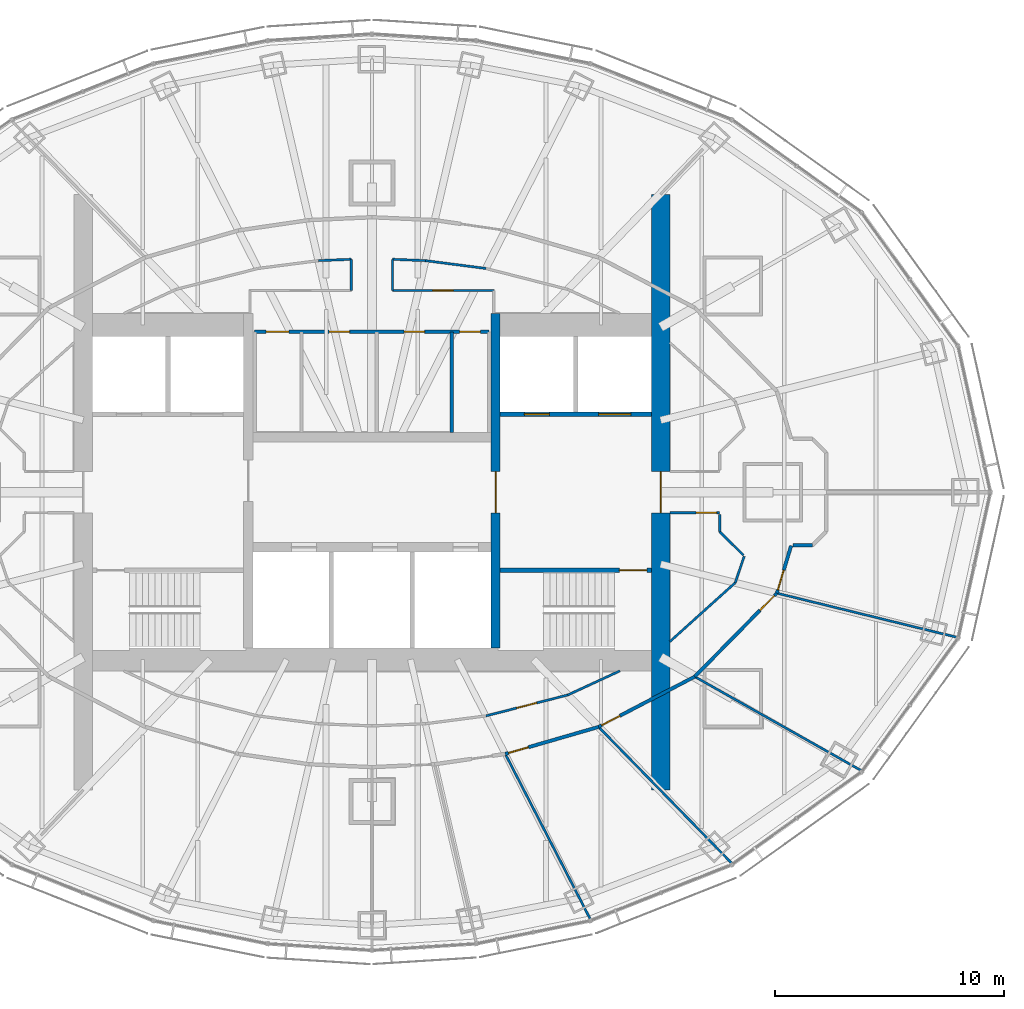
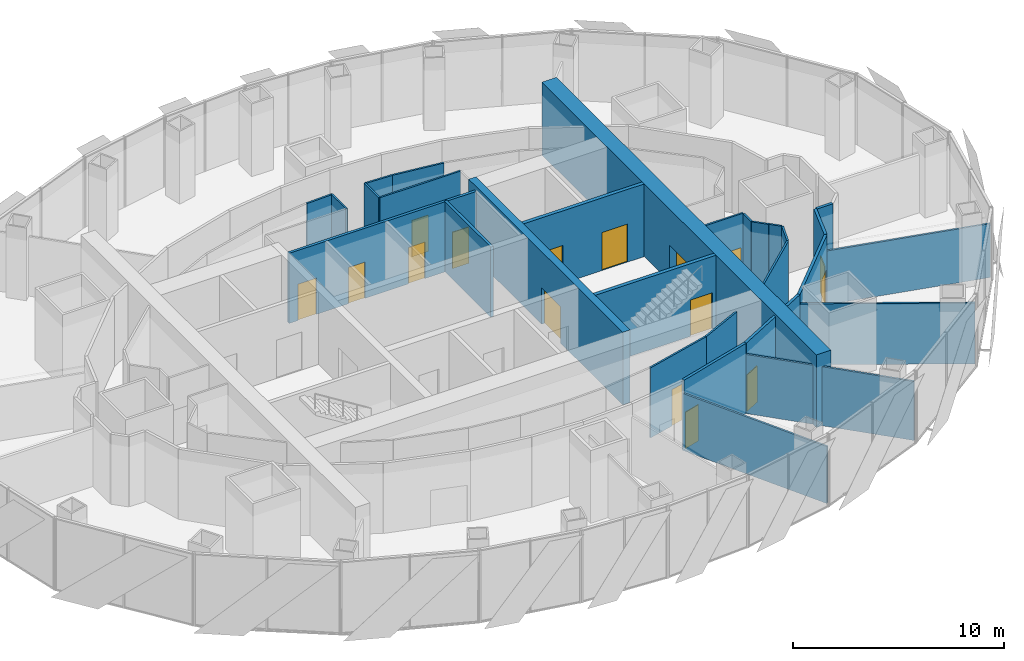
# One storey, part 13 of 17: 29 walls, 16 doors, 16 openings.
"""IFC4 building model written with IfcOpenShell, lengths in metres."""

from ifc_helpers import new_model, si_unit, direction, frame, frame_2d, origin, place, context, subcontext, project, spatial, rectangle, extrude, material, layer, layer_set, type_object, element, fill, save


model = new_model("IFC4")

# Units and contexts
model_context = context("Model", 3, precision=1e-05, world=origin(), true_north=direction((0.0, 1.0)))
body_context = subcontext(model_context, "Body", "Model", "MODEL_VIEW")
ifc_project = project(units=[si_unit("LENGTHUNIT", "METRE"), si_unit("AREAUNIT", "SQUARE_METRE"), si_unit("VOLUMEUNIT", "CUBIC_METRE"), si_unit("PLANEANGLEUNIT", "RADIAN"), si_unit("MASSUNIT", "GRAM", prefix="KILO")], contexts=[model_context])

# Site, building, storey
site_placement = place(None, origin())
site = spatial("IfcSite", under=ifc_project, at=site_placement, CompositionType="ELEMENT")
building_placement = place(site_placement, origin())
building = spatial("IfcBuilding", under=site, at=building_placement, Name="Lantaw Convention Tower", CompositionType="ELEMENT")
storey_placement = place(building_placement, frame((0.0, 0.0, 215.800048828125)))
storey = spatial("IfcBuildingStorey", under=building, at=storey_placement, Name="L50", CompositionType="ELEMENT", Elevation=215.800048828125)

# Wall, opening, door
ifc_material_1 = material(Name="Concrete C60/75", Category="concrete")
ifc_layer_1 = layer(ifc_material_1, 0.199951171875)
ifc_layer_set_1 = layer_set([ifc_layer_1], Name="Core wall 200")
wall_type_1 = type_object("IfcWallType", Name="Core wall 200", PredefinedType="SHEAR", material=ifc_layer_set_1)
wall_1_placement = place(storey_placement, frame((5.60009765625, -3.39990234375, 0.0), z_axis=(0.0, 0.0, 1.0), x_axis=(1.0, 0.0, 0.0)))
wall_1 = element("IfcWall", 1, at=wall_1_placement, inside=storey, type_object=wall_type_1, Name="Core wall ES", PredefinedType="SHEAR", context=body_context, shape_type="SweptSolid", body=[
    extrude(rectangle(XDim=6.599853515625, YDim=0.199951171875, at=frame_2d((3.2998046875, 0.0))), origin(), (0.0, 0.0, 1.0), 4.199951171875),
])
opening_1_placement = place(wall_1_placement, frame((5.199951171875, 0.0, 0.0)))
opening_1 = element("IfcOpeningElement", 2, at=opening_1_placement, cuts=wall_1, Name="Opening L50.03", PredefinedType="OPENING", context=body_context, shape_type="SweptSolid", body=[
    extrude(rectangle(XDim=1.199951171875, YDim=2.10009765625, at=frame_2d((0.60009765625, 1.050048828125))), frame((0.0, 0.10986328125, 0.0), z_axis=(0.0, -1.0, 0.0), x_axis=(1.0, 0.0, 0.0)), (0.0, 0.0, 1.0), 0.219970703125),
])
ifc_material_2 = material(Name="Steel, fire rated", Category="steel")
door_type_1 = type_object("IfcDoorType", Name="Stair door FD90", OperationType="SINGLE_SWING_RIGHT", PredefinedType="DOOR", material=ifc_material_2)
door_1_placement = place(opening_1_placement, origin())
door_1 = element("IfcDoor", 3, at=door_1_placement, inside=storey, type_object=door_type_1, Name="Exit stair door", OperationType="SINGLE_SWING_RIGHT", OverallHeight=2.10009765625, OverallWidth=1.199951171875, PredefinedType="DOOR", context=body_context, shape_type="SweptSolid", body=[
    extrude(rectangle(XDim=1.199951171875, YDim=2.10009765625, at=frame_2d((0.60009765625, 1.050048828125))), frame((0.0, 0.02490234375, 0.0), z_axis=(0.0, -1.0, 0.0), x_axis=(1.0, 0.0, 0.0)), (0.0, 0.0, 1.0), 0.050048828125),
])
fill(opening_1, door_1)

ifc_layer_2 = layer(ifc_material_1, 0.39990234375)
ifc_layer_set_2 = layer_set([ifc_layer_2], Name="Core wall 400")
wall_type_2 = type_object("IfcWallType", Name="Core wall 400", PredefinedType="SHEAR", material=ifc_layer_set_2)
wall_2_placement = place(storey_placement, frame((5.39990234375, -6.800048828125, 0.0), z_axis=(0.0, 0.0, 1.0), x_axis=(0.0, 1.0, 0.0)))
wall_2 = element("IfcWall", 4, at=wall_2_placement, inside=storey, type_object=wall_type_2, Name="Core wall XE", PredefinedType="SHEAR", context=body_context, shape_type="SweptSolid", body=[
    extrude(rectangle(XDim=14.60009765625, YDim=0.39990234375, at=frame_2d((7.300048828125, 0.0))), origin(), (0.0, 0.0, 1.0), 4.199951171875),
])
opening_2_placement = place(wall_2_placement, frame((5.89990234375, 0.0, 0.0)))
opening_2 = element("IfcOpeningElement", 5, at=opening_2_placement, cuts=wall_2, Name="Opening L50.01", PredefinedType="OPENING", context=body_context, shape_type="SweptSolid", body=[
    extrude(rectangle(XDim=1.800048828125, YDim=2.10009765625, at=frame_2d((0.89990234375, 1.050048828125))), frame((0.0, 0.2099609375, 0.0), z_axis=(0.0, -1.0, 0.0), x_axis=(1.0, 0.0, 0.0)), (0.0, 0.0, 1.0), 0.419921875),
])
door_type_2 = type_object("IfcDoorType", Name="Lobby double door FD90", OperationType="DOUBLE_DOOR_DOUBLE_SWING", PredefinedType="DOOR", material=ifc_material_2)
door_2_placement = place(opening_2_placement, origin())
door_2 = element("IfcDoor", 6, at=door_2_placement, inside=storey, type_object=door_type_2, Name="Lift lobby door", OperationType="DOUBLE_DOOR_DOUBLE_SWING", OverallHeight=2.10009765625, OverallWidth=1.800048828125, PredefinedType="DOOR", context=body_context, shape_type="SweptSolid", body=[
    extrude(rectangle(XDim=1.800048828125, YDim=2.10009765625, at=frame_2d((0.89990234375, 1.050048828125))), frame((0.0, 0.02490234375, 0.0), z_axis=(0.0, -1.0, 0.0), x_axis=(1.0, 0.0, 0.0)), (0.0, 0.0, 1.0), 0.050048828125),
])
fill(opening_2, door_2)

ifc_layer_3 = layer(ifc_material_1, 0.800048828125)
ifc_layer_set_3 = layer_set([ifc_layer_3], Name="Core wall 800")
wall_type_3 = type_object("IfcWallType", Name="Core wall 800", PredefinedType="SHEAR", material=ifc_layer_set_3)
wall_3_placement = place(storey_placement, frame((12.60009765625, -13.0, 0.0), z_axis=(0.0, 0.0, 1.0), x_axis=(0.0, 1.0, 0.0)))
wall_3 = element("IfcWall", 7, at=wall_3_placement, inside=storey, type_object=wall_type_3, Name="Core wall E", PredefinedType="SHEAR", context=body_context, shape_type="SweptSolid", body=[
    extrude(rectangle(XDim=26.0, YDim=0.800048828125, at=frame_2d((13.0, 0.0))), origin(), (0.0, 0.0, 1.0), 4.199951171875),
])
opening_3_placement = place(wall_3_placement, frame((12.10009765625, 0.0, 0.0)))
opening_3 = element("IfcOpeningElement", 8, at=opening_3_placement, cuts=wall_3, Name="Opening L50.05", PredefinedType="OPENING", context=body_context, shape_type="SweptSolid", body=[
    extrude(rectangle(XDim=1.800048828125, YDim=2.10009765625, at=frame_2d((0.89990234375, 1.050048828125))), frame((0.0, 0.409912109375, 0.0), z_axis=(0.0, -1.0, 0.0), x_axis=(1.0, 0.0, 0.0)), (0.0, 0.0, 1.0), 0.820068359375),
])
door_3_placement = place(opening_3_placement, origin())
door_3 = element("IfcDoor", 9, at=door_3_placement, inside=storey, type_object=door_type_2, Name="Firefighting lobby door", OperationType="DOUBLE_DOOR_DOUBLE_SWING", OverallHeight=2.10009765625, OverallWidth=1.800048828125, PredefinedType="DOOR", context=body_context, shape_type="SweptSolid", body=[
    extrude(rectangle(XDim=1.800048828125, YDim=2.10009765625, at=frame_2d((0.89990234375, 1.050048828125))), frame((0.0, 0.02490234375, 0.0), z_axis=(0.0, -1.0, 0.0), x_axis=(1.0, 0.0, 0.0)), (0.0, 0.0, 1.0), 0.050048828125),
])
fill(opening_3, door_3)

ifc_material_3 = material(Name="Gypsum board on steel studs, fire rated", Category="steel")
ifc_layer_4 = layer(ifc_material_3, 0.14990234375)
ifc_layer_set_4 = layer_set([ifc_layer_4], Name="Corridor wall 150 EI 60")
wall_type_4 = type_object("IfcWallType", Name="Corridor wall 150 EI 60", PredefinedType="PARTITIONING", material=ifc_layer_set_4)
wall_4_placement = place(storey_placement, frame((5.8203125, -11.423095703125, 0.0), z_axis=(0.0, 0.0, 1.0), x_axis=(0.960614838378, 0.27788330696, 0.0)))
wall_4 = element("IfcWall", 10, at=wall_4_placement, inside=storey, type_object=wall_type_4, Name="Corridor wall 150", PredefinedType="PARTITIONING", context=body_context, shape_type="SweptSolid", body=[
    extrude(rectangle(XDim=4.239990234375, YDim=0.14990234375, at=frame_2d((2.1201171875, 0.0))), origin(), (0.0, 0.0, 1.0), 4.050048828125),
])
opening_4_placement = place(wall_4_placement, frame((0.14990234375, 0.0, 0.0)))
opening_4 = element("IfcOpeningElement", 11, at=opening_4_placement, cuts=wall_4, Name="Opening L50.31", PredefinedType="OPENING", context=body_context, shape_type="SweptSolid", body=[
    extrude(rectangle(XDim=0.89990234375, YDim=2.10009765625, at=frame_2d((0.449951171875, 1.050048828125))), frame((0.0, 0.0849609375, 0.0), z_axis=(0.0, -1.0, 0.0), x_axis=(1.0, 0.0, 0.0)), (0.0, 0.0, 1.0), 0.169921875),
])
door_type_3 = type_object("IfcDoorType", Name="Office door 900 FD30", OperationType="SINGLE_SWING_LEFT", PredefinedType="DOOR", material=ifc_material_2)
door_4_placement = place(opening_4_placement, origin())
door_4 = element("IfcDoor", 12, at=door_4_placement, inside=storey, type_object=door_type_3, Name="Quiet room door", OperationType="SINGLE_SWING_LEFT", OverallHeight=2.10009765625, OverallWidth=0.89990234375, PredefinedType="DOOR", context=body_context, shape_type="SweptSolid", body=[
    extrude(rectangle(XDim=0.89990234375, YDim=2.10009765625, at=frame_2d((0.449951171875, 1.050048828125))), frame((0.0, 0.02490234375, 0.0), z_axis=(0.0, -1.0, 0.0), x_axis=(1.0, 0.0, 0.0)), (0.0, 0.0, 1.0), 0.050048828125),
])
fill(opening_4, door_4)

wall_5_placement = place(storey_placement, frame((9.893310546875, -10.244873046875, 0.0), z_axis=(0.0, 0.0, 1.0), x_axis=(0.886174439647, 0.463351769735, 0.0)))
wall_5 = element("IfcWall", 13, at=wall_5_placement, inside=storey, type_object=wall_type_4, Name="Corridor wall 150", PredefinedType="PARTITIONING", context=body_context, shape_type="SweptSolid", body=[
    extrude(rectangle(XDim=4.734619140625, YDim=0.14990234375, at=frame_2d((2.3671875, 0.0))), origin(), (0.0, 0.0, 1.0), 4.050048828125),
])
opening_5_placement = place(wall_5_placement, frame((0.14990234375, 0.0, 0.0)))
opening_5 = element("IfcOpeningElement", 14, at=opening_5_placement, cuts=wall_5, Name="Opening L50.32", PredefinedType="OPENING", context=body_context, shape_type="SweptSolid", body=[
    extrude(rectangle(XDim=0.89990234375, YDim=2.10009765625, at=frame_2d((0.449951171875, 1.050048828125))), frame((0.0, 0.0849609375, 0.0), z_axis=(0.0, -1.0, 0.0), x_axis=(1.0, 0.0, 0.0)), (0.0, 0.0, 1.0), 0.169921875),
])
door_5_placement = place(opening_5_placement, origin())
door_5 = element("IfcDoor", 15, at=door_5_placement, inside=storey, type_object=door_type_3, Name="Nap room door", OperationType="SINGLE_SWING_LEFT", OverallHeight=2.10009765625, OverallWidth=0.89990234375, PredefinedType="DOOR", context=body_context, shape_type="SweptSolid", body=[
    extrude(rectangle(XDim=0.89990234375, YDim=2.10009765625, at=frame_2d((0.449951171875, 1.050048828125))), frame((0.0, 0.02490234375, 0.0), z_axis=(0.0, -1.0, 0.0), x_axis=(1.0, 0.0, 0.0)), (0.0, 0.0, 1.0), 0.050048828125),
])
fill(opening_5, door_5)

wall_6_placement = place(storey_placement, frame((14.089111328125, -8.051025390625, 0.0), z_axis=(0.0, 0.0, 1.0), x_axis=(0.701111216625, 0.713051934941, 0.0)))
wall_6 = element("IfcWall", 16, at=wall_6_placement, inside=storey, type_object=wall_type_4, Name="Corridor wall 150", PredefinedType="PARTITIONING", context=body_context, shape_type="SweptSolid", body=[
    extrude(rectangle(XDim=5.111572265625, YDim=0.14990234375, at=frame_2d((2.5556640625, 0.0))), origin(), (0.0, 0.0, 1.0), 4.050048828125),
])
opening_6_placement = place(wall_6_placement, frame((4.061279296875, 0.0, 0.0)))
opening_6 = element("IfcOpeningElement", 17, at=opening_6_placement, cuts=wall_6, Name="Opening L50.33", PredefinedType="OPENING", context=body_context, shape_type="SweptSolid", body=[
    extrude(rectangle(XDim=0.89990234375, YDim=2.10009765625, at=frame_2d((0.449951171875, 1.050048828125))), frame((0.0, 0.0849609375, 0.0), z_axis=(0.0, -1.0, 0.0), x_axis=(1.0, 0.0, 0.0)), (0.0, 0.0, 1.0), 0.169921875),
])
door_6_placement = place(opening_6_placement, origin())
door_6 = element("IfcDoor", 18, at=door_6_placement, inside=storey, type_object=door_type_3, Name="Wellness room door", OperationType="SINGLE_SWING_LEFT", OverallHeight=2.10009765625, OverallWidth=0.89990234375, PredefinedType="DOOR", context=body_context, shape_type="SweptSolid", body=[
    extrude(rectangle(XDim=0.89990234375, YDim=2.10009765625, at=frame_2d((0.449951171875, 1.050048828125))), frame((0.0, 0.02490234375, 0.0), z_axis=(0.0, -1.0, 0.0), x_axis=(1.0, 0.0, 0.0)), (0.0, 0.0, 1.0), 0.050048828125),
])
fill(opening_6, door_6)

wall_7_placement = place(storey_placement, frame((17.6728515625, -4.40625, 0.0), z_axis=(0.0, 0.0, 1.0), x_axis=(0.288362447016, 0.957521330912, 0.0)))
wall_7 = element("IfcWall", 19, at=wall_7_placement, inside=storey, type_object=wall_type_4, Name="Corridor wall 150", PredefinedType="PARTITIONING", context=body_context, shape_type="SweptSolid", body=[
    extrude(rectangle(XDim=2.1630859375, YDim=0.14990234375, at=frame_2d((1.08154296875, 0.0))), origin(), (0.0, 0.0, 1.0), 4.050048828125),
])
opening_7_placement = place(wall_7_placement, frame((0.14990234375, 0.0, 0.0)))
opening_7 = element("IfcOpeningElement", 20, at=opening_7_placement, cuts=wall_7, Name="Opening L50.34", PredefinedType="OPENING", context=body_context, shape_type="SweptSolid", body=[
    extrude(rectangle(XDim=0.89990234375, YDim=2.10009765625, at=frame_2d((0.449951171875, 1.050048828125))), frame((0.0, 0.0849609375, 0.0), z_axis=(0.0, -1.0, 0.0), x_axis=(1.0, 0.0, 0.0)), (0.0, 0.0, 1.0), 0.169921875),
])
door_7_placement = place(opening_7_placement, origin())
door_7 = element("IfcDoor", 21, at=door_7_placement, inside=storey, type_object=door_type_3, Name="Pantry door", OperationType="SINGLE_SWING_LEFT", OverallHeight=2.10009765625, OverallWidth=0.89990234375, PredefinedType="DOOR", context=body_context, shape_type="SweptSolid", body=[
    extrude(rectangle(XDim=0.89990234375, YDim=2.10009765625, at=frame_2d((0.449951171875, 1.050048828125))), frame((0.0, 0.02490234375, 0.0), z_axis=(0.0, -1.0, 0.0), x_axis=(1.0, 0.0, 0.0)), (0.0, 0.0, 1.0), 0.050048828125),
])
fill(opening_7, door_7)

# Walls
wall_8_placement = place(storey_placement, frame((19.224609375, -2.324951171875, 0.0), z_axis=(0.0, 0.0, 1.0), x_axis=(-1.0, 0.0, 0.0)))
element("IfcWall", 22, at=wall_8_placement, inside=storey, type_object=wall_type_4, Name="Corridor wall 150", PredefinedType="PARTITIONING", context=body_context, shape_type="SweptSolid", body=[
    extrude(rectangle(XDim=0.857177734375, YDim=0.14990234375, at=frame_2d((0.4287109375, 0.0))), origin(), (0.0, 0.0, 1.0), 4.050048828125),
])
ifc_material_4 = material(Name="Gypsum board on steel studs, acoustic", Category="steel")
ifc_layer_5 = layer(ifc_material_4, 0.10009765625)
ifc_layer_set_5 = layer_set([ifc_layer_5], Name="Office partition 100")
wall_type_5 = type_object("IfcWallType", Name="Office partition 100", PredefinedType="PARTITIONING", material=ifc_layer_set_5)
wall_9_placement = place(storey_placement, frame((9.539306640625, -18.650390625, 0.0), z_axis=(0.0, 0.0, 1.0), x_axis=(-0.457552286462, 0.88918271753, 0.0)))
element("IfcWall", 23, at=wall_9_placement, inside=storey, type_object=wall_type_5, Name="Office partition 100", PredefinedType="PARTITIONING", context=body_context, shape_type="SweptSolid", body=[
    extrude(rectangle(XDim=8.1279296875, YDim=0.10009765625, at=frame_2d((4.06396484375, 0.0))), origin(), (0.0, 0.0, 1.0), 3.29296875),
])
wall_10_placement = place(storey_placement, frame((15.709228515625, -16.198974609375, 0.0), z_axis=(0.0, 0.0, 1.0), x_axis=(-0.69875697861, 0.715359129978, 0.0)))
element("IfcWall", 24, at=wall_10_placement, inside=storey, type_object=wall_type_5, Name="Office partition 100", PredefinedType="PARTITIONING", context=body_context, shape_type="SweptSolid", body=[
    extrude(rectangle(XDim=8.3232421875, YDim=0.10009765625, at=frame_2d((4.16162109375, 0.0))), origin(), (0.0, 0.0, 1.0), 3.409912109375),
])
wall_11_placement = place(storey_placement, frame((21.3583984375, -12.149658203125, 0.0), z_axis=(0.0, 0.0, 1.0), x_axis=(-0.871080529249, 0.491140215786, 0.0)))
element("IfcWall", 25, at=wall_11_placement, inside=storey, type_object=wall_type_5, Name="Office partition 100", PredefinedType="PARTITIONING", context=body_context, shape_type="SweptSolid", body=[
    extrude(rectangle(XDim=8.34521484375, YDim=0.10009765625, at=frame_2d((4.172607421875, 0.0))), origin(), (0.0, 0.0, 1.0), 3.521728515625),
])
wall_12_placement = place(storey_placement, frame((25.542724609375, -6.335693359375, 0.0), z_axis=(0.0, 0.0, 1.0), x_axis=(-0.97123661777, 0.238116425942, 0.0)))
element("IfcWall", 26, at=wall_12_placement, inside=storey, type_object=wall_type_5, Name="Office partition 100", PredefinedType="PARTITIONING", context=body_context, shape_type="SweptSolid", body=[
    extrude(rectangle(XDim=8.10302734375, YDim=0.10009765625, at=frame_2d((4.051513671875, 0.0))), origin(), (0.0, 0.0, 1.0), 3.107666015625),
])
wall_13_placement = place(storey_placement, frame((10.822509765625, -7.800048828125, 0.0), z_axis=(0.0, 0.0, 1.0), x_axis=(-0.907759689292, -0.419490579748, 0.0)))
element("IfcWall", 27, at=wall_13_placement, inside=storey, type_object=wall_type_5, Name="Office partition 100", PredefinedType="PARTITIONING", context=body_context, shape_type="SweptSolid", body=[
    extrude(rectangle(XDim=2.506103515625, YDim=0.10009765625, at=frame_2d((1.2529296875, 0.0))), origin(), (0.0, 0.0, 1.0), 4.050048828125),
])

# Wall, opening, door
wall_14_placement = place(storey_placement, frame((8.547607421875, -8.851318359375, 0.0), z_axis=(0.0, 0.0, 1.0), x_axis=(-0.968887312542, -0.247502273921, 0.0)))
wall_14 = element("IfcWall", 28, at=wall_14_placement, inside=storey, type_object=wall_type_5, Name="Office partition 100", PredefinedType="PARTITIONING", context=body_context, shape_type="SweptSolid", body=[
    extrude(rectangle(XDim=3.687255859375, YDim=0.10009765625, at=frame_2d((1.84375, 0.0))), origin(), (0.0, 0.0, 1.0), 4.050048828125),
])
opening_8_placement = place(wall_14_placement, frame((1.393798828125, 0.0, 0.0)))
opening_8 = element("IfcOpeningElement", 29, at=opening_8_placement, cuts=wall_14, Name="Opening L50.19", PredefinedType="OPENING", context=body_context, shape_type="SweptSolid", body=[
    extrude(rectangle(XDim=0.89990234375, YDim=2.10009765625, at=frame_2d((0.449951171875, 1.050048828125))), frame((0.0, 0.06005859375, 0.0), z_axis=(0.0, -1.0, 0.0), x_axis=(1.0, 0.0, 0.0)), (0.0, 0.0, 1.0), 0.1201171875),
])
ifc_material_5 = material(Name="Timber", Category="wood")
door_type_4 = type_object("IfcDoorType", Name="Office door 900", OperationType="SINGLE_SWING_LEFT", PredefinedType="DOOR", material=ifc_material_5)
door_8_placement = place(opening_8_placement, origin())
door_8 = element("IfcDoor", 30, at=door_8_placement, inside=storey, type_object=door_type_4, Name="Project room door", OperationType="SINGLE_SWING_LEFT", OverallHeight=2.10009765625, OverallWidth=0.89990234375, PredefinedType="DOOR", context=body_context, shape_type="SweptSolid", body=[
    extrude(rectangle(XDim=0.89990234375, YDim=2.10009765625, at=frame_2d((0.449951171875, 1.050048828125))), frame((0.0, 0.02490234375, 0.0), z_axis=(0.0, -1.0, 0.0), x_axis=(1.0, 0.0, 0.0)), (0.0, 0.0, 1.0), 0.050048828125),
])
fill(opening_8, door_8)

# Wall
wall_15_placement = place(storey_placement, frame((15.855712890625, -3.953369140625, 0.0), z_axis=(0.0, 0.0, 1.0), x_axis=(-0.743177243228, -0.669094601046, 0.0)))
element("IfcWall", 31, at=wall_15_placement, inside=storey, type_object=wall_type_5, Name="Office partition 100", PredefinedType="PARTITIONING", context=body_context, shape_type="SweptSolid", body=[
    extrude(rectangle(XDim=3.842529296875, YDim=0.10009765625, at=frame_2d((1.92138671875, 0.0))), origin(), (0.0, 0.0, 1.0), 4.050048828125),
])

# Wall, opening, door
wall_16_placement = place(storey_placement, frame((5.320068359375, 8.800048828125, 0.0), z_axis=(0.0, 0.0, 1.0), x_axis=(-1.0, 0.0, 0.0)))
wall_16 = element("IfcWall", 32, at=wall_16_placement, inside=storey, type_object=wall_type_5, Name="Office partition 100", PredefinedType="PARTITIONING", context=body_context, shape_type="SweptSolid", body=[
    extrude(rectangle(XDim=4.420166015625, YDim=0.10009765625, at=frame_2d((2.2099609375, 0.0))), origin(), (0.0, 0.0, 1.0), 4.050048828125),
])
opening_9_placement = place(wall_16_placement, frame((1.760009765625, 0.0, 0.0)))
opening_9 = element("IfcOpeningElement", 33, at=opening_9_placement, cuts=wall_16, Name="Opening L50.22", PredefinedType="OPENING", context=body_context, shape_type="SweptSolid", body=[
    extrude(rectangle(XDim=0.89990234375, YDim=2.10009765625, at=frame_2d((0.449951171875, 1.050048828125))), frame((0.0, 0.06005859375, 0.0), z_axis=(0.0, -1.0, 0.0), x_axis=(1.0, 0.0, 0.0)), (0.0, 0.0, 1.0), 0.1201171875),
])
door_9_placement = place(opening_9_placement, origin())
door_9 = element("IfcDoor", 34, at=door_9_placement, inside=storey, type_object=door_type_4, Name="Copy and print room door", OperationType="SINGLE_SWING_LEFT", OverallHeight=2.10009765625, OverallWidth=0.89990234375, PredefinedType="DOOR", context=body_context, shape_type="SweptSolid", body=[
    extrude(rectangle(XDim=0.89990234375, YDim=2.10009765625, at=frame_2d((0.449951171875, 1.050048828125))), frame((0.0, 0.02490234375, 0.0), z_axis=(0.0, -1.0, 0.0), x_axis=(1.0, 0.0, 0.0)), (0.0, 0.0, 1.0), 0.050048828125),
])
fill(opening_9, door_9)

# Walls
wall_17_placement = place(storey_placement, frame((0.89990234375, 8.800048828125, 0.0), z_axis=(0.0, 0.0, 1.0), x_axis=(0.0, 1.0, 0.0)))
element("IfcWall", 35, at=wall_17_placement, inside=storey, type_object=wall_type_5, Name="Office partition 100", PredefinedType="PARTITIONING", context=body_context, shape_type="SweptSolid", body=[
    extrude(rectangle(XDim=1.363525390625, YDim=0.10009765625, at=frame_2d((0.681640625, 0.0))), origin(), (0.0, 0.0, 1.0), 4.050048828125),
])
wall_18_placement = place(storey_placement, frame((0.89990234375, 10.16357421875, 0.0), z_axis=(0.0, 0.0, 1.0), x_axis=(0.999185933422, -0.040341919288, 0.0)))
element("IfcWall", 36, at=wall_18_placement, inside=storey, type_object=wall_type_5, Name="Office partition 100", PredefinedType="PARTITIONING", context=body_context, shape_type="SweptSolid", body=[
    extrude(rectangle(XDim=1.434326171875, YDim=0.10009765625, at=frame_2d((0.71728515625, 0.0))), origin(), (0.0, 0.0, 1.0), 4.050048828125),
])
wall_19_placement = place(storey_placement, frame((2.3330078125, 10.105712890625, 0.0), z_axis=(0.0, 0.0, 1.0), x_axis=(0.99173579163, -0.128296997624, 0.0)))
element("IfcWall", 37, at=wall_19_placement, inside=storey, type_object=wall_type_5, Name="Office partition 100", PredefinedType="PARTITIONING", context=body_context, shape_type="SweptSolid", body=[
    extrude(rectangle(XDim=2.6640625, YDim=0.10009765625, at=frame_2d((1.33203125, 0.0))), origin(), (0.0, 0.0, 1.0), 4.050048828125),
])
wall_20_placement = place(storey_placement, frame((-2.3330078125, 10.105712890625, 0.0), z_axis=(0.0, 0.0, 1.0), x_axis=(0.999185933422, 0.040341919288, 0.0)))
element("IfcWall", 38, at=wall_20_placement, inside=storey, type_object=wall_type_5, Name="Office partition 100", PredefinedType="PARTITIONING", context=body_context, shape_type="SweptSolid", body=[
    extrude(rectangle(XDim=1.434326171875, YDim=0.10009765625, at=frame_2d((0.71728515625, 0.0))), origin(), (0.0, 0.0, 1.0), 4.050048828125),
])
wall_21_placement = place(storey_placement, frame((-0.89990234375, 10.16357421875, 0.0), z_axis=(0.0, 0.0, 1.0), x_axis=(0.0, -1.0, 0.0)))
element("IfcWall", 39, at=wall_21_placement, inside=storey, type_object=wall_type_5, Name="Office partition 100", PredefinedType="PARTITIONING", context=body_context, shape_type="SweptSolid", body=[
    extrude(rectangle(XDim=1.363525390625, YDim=0.10009765625, at=frame_2d((0.681640625, 0.0))), origin(), (0.0, 0.0, 1.0), 4.050048828125),
])

# Wall, opening, door
wall_22_placement = place(storey_placement, frame((13.0, -0.89990234375, 0.0), z_axis=(0.0, 0.0, 1.0), x_axis=(1.0, 0.0, 0.0)))
wall_22 = element("IfcWall", 40, at=wall_22_placement, inside=storey, type_object=wall_type_5, Name="Office partition 100", PredefinedType="PARTITIONING", context=body_context, shape_type="SweptSolid", body=[
    extrude(rectangle(XDim=2.1650390625, YDim=0.10009765625, at=frame_2d((1.08251953125, 0.0))), origin(), (0.0, 0.0, 1.0), 4.050048828125),
])
opening_10_placement = place(wall_22_placement, frame((1.14990234375, 0.0, 0.0)))
opening_10 = element("IfcOpeningElement", 41, at=opening_10_placement, cuts=wall_22, Name="Opening L50.20", PredefinedType="OPENING", context=body_context, shape_type="SweptSolid", body=[
    extrude(rectangle(XDim=0.89990234375, YDim=2.10009765625, at=frame_2d((0.449951171875, 1.050048828125))), frame((0.0, 0.06005859375, 0.0), z_axis=(0.0, -1.0, 0.0), x_axis=(1.0, 0.0, 0.0)), (0.0, 0.0, 1.0), 0.1201171875),
])
door_10_placement = place(opening_10_placement, origin())
door_10 = element("IfcDoor", 42, at=door_10_placement, inside=storey, type_object=door_type_4, Name="Tenant storage room door", OperationType="SINGLE_SWING_LEFT", OverallHeight=2.10009765625, OverallWidth=0.89990234375, PredefinedType="DOOR", context=body_context, shape_type="SweptSolid", body=[
    extrude(rectangle(XDim=0.89990234375, YDim=2.10009765625, at=frame_2d((0.449951171875, 1.050048828125))), frame((0.0, 0.02490234375, 0.0), z_axis=(0.0, -1.0, 0.0), x_axis=(1.0, 0.0, 0.0)), (0.0, 0.0, 1.0), 0.050048828125),
])
fill(opening_10, door_10)

# Walls
wall_23_placement = place(storey_placement, frame((16.249267578125, -2.7958984375, 0.0), z_axis=(0.0, 0.0, 1.0), x_axis=(-0.321913473529, -0.946769093053, 0.0)))
element("IfcWall", 43, at=wall_23_placement, inside=storey, type_object=wall_type_5, Name="Office partition 100", PredefinedType="PARTITIONING", context=body_context, shape_type="SweptSolid", body=[
    extrude(rectangle(XDim=1.22265625, YDim=0.10009765625, at=frame_2d((0.611328125, 0.0))), origin(), (0.0, 0.0, 1.0), 4.050048828125),
])
wall_24_placement = place(storey_placement, frame((15.775390625, -2.324951171875, 0.0), z_axis=(0.0, 0.0, 1.0), x_axis=(-0.707106781187, 0.707106781187, 0.0)))
element("IfcWall", 44, at=wall_24_placement, inside=storey, type_object=wall_type_5, Name="Office partition 100", PredefinedType="PARTITIONING", context=body_context, shape_type="SweptSolid", body=[
    extrude(rectangle(XDim=0.84912109375, YDim=0.10009765625, at=frame_2d((0.424560546875, 0.0))), origin(), (0.0, 0.0, 1.0), 4.050048828125),
])
wall_25_placement = place(storey_placement, frame((15.175048828125, -1.724609375, 0.0), z_axis=(0.0, 0.0, 1.0), x_axis=(0.0, 1.0, 0.0)))
element("IfcWall", 45, at=wall_25_placement, inside=storey, type_object=wall_type_5, Name="Office partition 100", PredefinedType="PARTITIONING", context=body_context, shape_type="SweptSolid", body=[
    extrude(rectangle(XDim=0.746337890625, YDim=0.10009765625, at=frame_2d((0.373046875, 0.0))), origin(), (0.0, 0.0, 1.0), 4.050048828125),
])
wall_26_placement = place(storey_placement, frame((16.22265625, -2.755126953125, 0.0), z_axis=(0.0, 0.0, 1.0), x_axis=(-0.707106781187, 0.707106781187, 0.0)))
element("IfcWall", 46, at=wall_26_placement, inside=storey, type_object=wall_type_5, Name="Office partition 100", PredefinedType="PARTITIONING", context=body_context, shape_type="SweptSolid", body=[
    extrude(rectangle(XDim=0.6083984375, YDim=0.10009765625, at=frame_2d((0.30419921875, 0.0))), origin(), (0.0, 0.0, 1.0), 4.050048828125),
])

# Wall, openings, doors
ifc_material_6 = material(Name="Concrete blockwork, fire rated", Category="masonry")
ifc_layer_6 = layer(ifc_material_6, 0.199951171875)
ifc_layer_set_6 = layer_set([ifc_layer_6], Name="Shaft wall 200")
wall_type_6 = type_object("IfcWallType", Name="Shaft wall 200", PredefinedType="SOLIDWALL", material=ifc_layer_set_6)
wall_27_placement = place(storey_placement, frame((12.199951171875, 3.39990234375, 0.0), z_axis=(0.0, 0.0, 1.0), x_axis=(-1.0, 0.0, 0.0)))
wall_27 = element("IfcWall", 47, at=wall_27_placement, inside=storey, type_object=wall_type_6, Name="Shaft wall EN", PredefinedType="SOLIDWALL", context=body_context, shape_type="SweptSolid", body=[
    extrude(rectangle(XDim=6.599853515625, YDim=0.199951171875, at=frame_2d((3.2998046875, 0.0))), origin(), (0.0, 0.0, 1.0), 4.199951171875),
])
opening_11_placement = place(wall_27_placement, frame((4.449951171875, 0.0, 0.0)))
opening_11 = element("IfcOpeningElement", 48, at=opening_11_placement, cuts=wall_27, Name="Opening L50.12", PredefinedType="OPENING", context=body_context, shape_type="SweptSolid", body=[
    extrude(rectangle(XDim=1.10009765625, YDim=2.199951171875, at=frame_2d((0.550048828125, 1.10009765625))), frame((0.0, 0.10986328125, 0.0), z_axis=(0.0, -1.0, 0.0), x_axis=(1.0, 0.0, 0.0)), (0.0, 0.0, 1.0), 0.219970703125),
])
opening_12_placement = place(wall_27_placement, frame((0.89990234375, 0.0, 0.0)))
opening_12 = element("IfcOpeningElement", 49, at=opening_12_placement, cuts=wall_27, Name="Opening L50.13", PredefinedType="OPENING", context=body_context, shape_type="SweptSolid", body=[
    extrude(rectangle(XDim=1.39990234375, YDim=2.199951171875, at=frame_2d((0.699951171875, 1.10009765625))), frame((0.0, 0.10986328125, 0.0), z_axis=(0.0, -1.0, 0.0), x_axis=(1.0, 0.0, 0.0)), (0.0, 0.0, 1.0), 0.219970703125),
])
ifc_material_7 = material(Name="Stainless steel", Category="steel")
door_type_5 = type_object("IfcDoorType", Name="Lift landing door 1100", OperationType="DOUBLE_DOOR_SLIDING", PredefinedType="DOOR", material=ifc_material_7)
door_11_placement = place(opening_11_placement, origin())
door_11 = element("IfcDoor", 50, at=door_11_placement, inside=storey, type_object=door_type_5, Name="Lift landing door FF2", OperationType="DOUBLE_DOOR_SLIDING", OverallHeight=2.199951171875, OverallWidth=1.10009765625, PredefinedType="DOOR", context=body_context, shape_type="SweptSolid", body=[
    extrude(rectangle(XDim=1.10009765625, YDim=2.199951171875, at=frame_2d((0.550048828125, 1.10009765625))), frame((0.0, 0.02490234375, 0.0), z_axis=(0.0, -1.0, 0.0), x_axis=(1.0, 0.0, 0.0)), (0.0, 0.0, 1.0), 0.050048828125),
])
fill(opening_11, door_11)
door_type_6 = type_object("IfcDoorType", Name="Lift landing door 1400", OperationType="DOUBLE_DOOR_SLIDING", PredefinedType="DOOR", material=ifc_material_7)
door_12_placement = place(opening_12_placement, origin())
door_12 = element("IfcDoor", 51, at=door_12_placement, inside=storey, type_object=door_type_6, Name="Lift landing door SV2", OperationType="DOUBLE_DOOR_SLIDING", OverallHeight=2.199951171875, OverallWidth=1.39990234375, PredefinedType="DOOR", context=body_context, shape_type="SweptSolid", body=[
    extrude(rectangle(XDim=1.39990234375, YDim=2.199951171875, at=frame_2d((0.699951171875, 1.10009765625))), frame((0.0, 0.02490234375, 0.0), z_axis=(0.0, -1.0, 0.0), x_axis=(1.0, 0.0, 0.0)), (0.0, 0.0, 1.0), 0.050048828125),
])
fill(opening_12, door_12)

ifc_material_8 = material(Name="Concrete blockwork", Category="masonry")
ifc_layer_7 = layer(ifc_material_8, 0.14990234375)
ifc_layer_set_7 = layer_set([ifc_layer_7], Name="WC wall 150")
wall_type_7 = type_object("IfcWallType", Name="WC wall 150", PredefinedType="SOLIDWALL", material=ifc_layer_set_7)
wall_28_placement = place(storey_placement, frame((-5.1201171875, 7.0, 0.0), z_axis=(0.0, 0.0, 1.0), x_axis=(1.0, 0.0, 0.0)))
wall_28 = element("IfcWall", 52, at=wall_28_placement, inside=storey, type_object=wall_type_7, Name="WC wall 150", PredefinedType="SOLIDWALL", context=body_context, shape_type="SweptSolid", body=[
    extrude(rectangle(XDim=10.240234375, YDim=0.14990234375, at=frame_2d((5.1201171875, 0.0))), origin(), (0.0, 0.0, 1.0), 4.050048828125),
])
opening_13_placement = place(wall_28_placement, frame((0.5, 0.0, 0.0)))
opening_13 = element("IfcOpeningElement", 53, at=opening_13_placement, cuts=wall_28, Name="Opening L50.14", PredefinedType="OPENING", context=body_context, shape_type="SweptSolid", body=[
    extrude(rectangle(XDim=1.0, YDim=2.10009765625, at=frame_2d((0.5, 1.050048828125))), frame((0.0, 0.0849609375, 0.0), z_axis=(0.0, -1.0, 0.0), x_axis=(1.0, 0.0, 0.0)), (0.0, 0.0, 1.0), 0.169921875),
])
opening_14_placement = place(wall_28_placement, frame((3.248046875, 0.0, 0.0)))
opening_14 = element("IfcOpeningElement", 54, at=opening_14_placement, cuts=wall_28, Name="Opening L50.15", PredefinedType="OPENING", context=body_context, shape_type="SweptSolid", body=[
    extrude(rectangle(XDim=0.89990234375, YDim=2.10009765625, at=frame_2d((0.449951171875, 1.050048828125))), frame((0.0, 0.0849609375, 0.0), z_axis=(0.0, -1.0, 0.0), x_axis=(1.0, 0.0, 0.0)), (0.0, 0.0, 1.0), 0.169921875),
])
opening_15_placement = place(wall_28_placement, frame((6.52490234375, 0.0, 0.0)))
opening_15 = element("IfcOpeningElement", 55, at=opening_15_placement, cuts=wall_28, Name="Opening L50.16", PredefinedType="OPENING", context=body_context, shape_type="SweptSolid", body=[
    extrude(rectangle(XDim=0.89990234375, YDim=2.10009765625, at=frame_2d((0.449951171875, 1.050048828125))), frame((0.0, 0.0849609375, 0.0), z_axis=(0.0, -1.0, 0.0), x_axis=(1.0, 0.0, 0.0)), (0.0, 0.0, 1.0), 0.169921875),
])
opening_16_placement = place(wall_28_placement, frame((8.95166015625, 0.0, 0.0)))
opening_16 = element("IfcOpeningElement", 56, at=opening_16_placement, cuts=wall_28, Name="Opening L50.17", PredefinedType="OPENING", context=body_context, shape_type="SweptSolid", body=[
    extrude(rectangle(XDim=0.89990234375, YDim=2.10009765625, at=frame_2d((0.449951171875, 1.050048828125))), frame((0.0, 0.0849609375, 0.0), z_axis=(0.0, -1.0, 0.0), x_axis=(1.0, 0.0, 0.0)), (0.0, 0.0, 1.0), 0.169921875),
])
door_type_7 = type_object("IfcDoorType", Name="Accessible WC door 1000", OperationType="SINGLE_SWING_LEFT", PredefinedType="DOOR", material=ifc_material_5)
door_13_placement = place(opening_13_placement, origin())
door_13 = element("IfcDoor", 57, at=door_13_placement, inside=storey, type_object=door_type_7, Name="Accessible WC door", OperationType="SINGLE_SWING_LEFT", OverallHeight=2.10009765625, OverallWidth=1.0, PredefinedType="DOOR", context=body_context, shape_type="SweptSolid", body=[
    extrude(rectangle(XDim=1.0, YDim=2.10009765625, at=frame_2d((0.5, 1.050048828125))), frame((0.0, 0.02490234375, 0.0), z_axis=(0.0, -1.0, 0.0), x_axis=(1.0, 0.0, 0.0)), (0.0, 0.0, 1.0), 0.050048828125),
])
fill(opening_13, door_13)
door_type_8 = type_object("IfcDoorType", Name="WC door 900", OperationType="SINGLE_SWING_LEFT", PredefinedType="DOOR", material=ifc_material_5)
door_14_placement = place(opening_14_placement, origin())
door_14 = element("IfcDoor", 58, at=door_14_placement, inside=storey, type_object=door_type_8, Name="Male WC door", OperationType="SINGLE_SWING_LEFT", OverallHeight=2.10009765625, OverallWidth=0.89990234375, PredefinedType="DOOR", context=body_context, shape_type="SweptSolid", body=[
    extrude(rectangle(XDim=0.89990234375, YDim=2.10009765625, at=frame_2d((0.449951171875, 1.050048828125))), frame((0.0, 0.02490234375, 0.0), z_axis=(0.0, -1.0, 0.0), x_axis=(1.0, 0.0, 0.0)), (0.0, 0.0, 1.0), 0.050048828125),
])
fill(opening_14, door_14)
door_15_placement = place(opening_15_placement, origin())
door_15 = element("IfcDoor", 59, at=door_15_placement, inside=storey, type_object=door_type_8, Name="Female WC door", OperationType="SINGLE_SWING_LEFT", OverallHeight=2.10009765625, OverallWidth=0.89990234375, PredefinedType="DOOR", context=body_context, shape_type="SweptSolid", body=[
    extrude(rectangle(XDim=0.89990234375, YDim=2.10009765625, at=frame_2d((0.449951171875, 1.050048828125))), frame((0.0, 0.02490234375, 0.0), z_axis=(0.0, -1.0, 0.0), x_axis=(1.0, 0.0, 0.0)), (0.0, 0.0, 1.0), 0.050048828125),
])
fill(opening_15, door_15)
door_16_placement = place(opening_16_placement, origin())
door_16 = element("IfcDoor", 60, at=door_16_placement, inside=storey, type_object=door_type_8, Name="Cleaner's store door", OperationType="SINGLE_SWING_LEFT", OverallHeight=2.10009765625, OverallWidth=0.89990234375, PredefinedType="DOOR", context=body_context, shape_type="SweptSolid", body=[
    extrude(rectangle(XDim=0.89990234375, YDim=2.10009765625, at=frame_2d((0.449951171875, 1.050048828125))), frame((0.0, 0.02490234375, 0.0), z_axis=(0.0, -1.0, 0.0), x_axis=(1.0, 0.0, 0.0)), (0.0, 0.0, 1.0), 0.050048828125),
])
fill(opening_16, door_16)

# Wall
wall_29_placement = place(storey_placement, frame((3.481689453125, 2.60009765625, 0.0), z_axis=(0.0, 0.0, 1.0), x_axis=(0.0, 1.0, 0.0)))
element("IfcWall", 61, at=wall_29_placement, inside=storey, type_object=wall_type_7, Name="WC wall 150", PredefinedType="SOLIDWALL", context=body_context, shape_type="SweptSolid", body=[
    extrude(rectangle(XDim=4.39990234375, YDim=0.14990234375, at=frame_2d((2.199951171875, 0.0))), origin(), (0.0, 0.0, 1.0), 4.050048828125),
])

save(model, "model.ifc")
